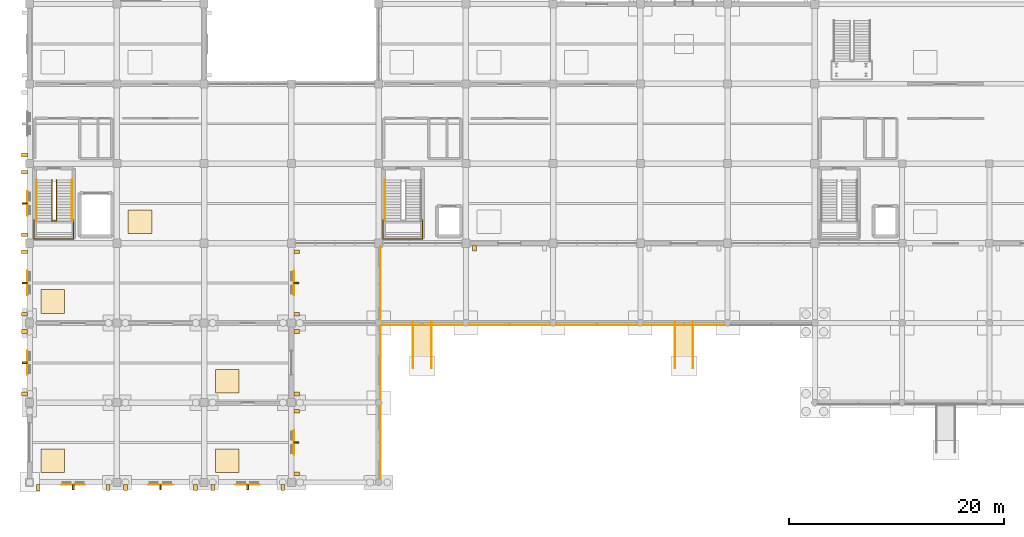
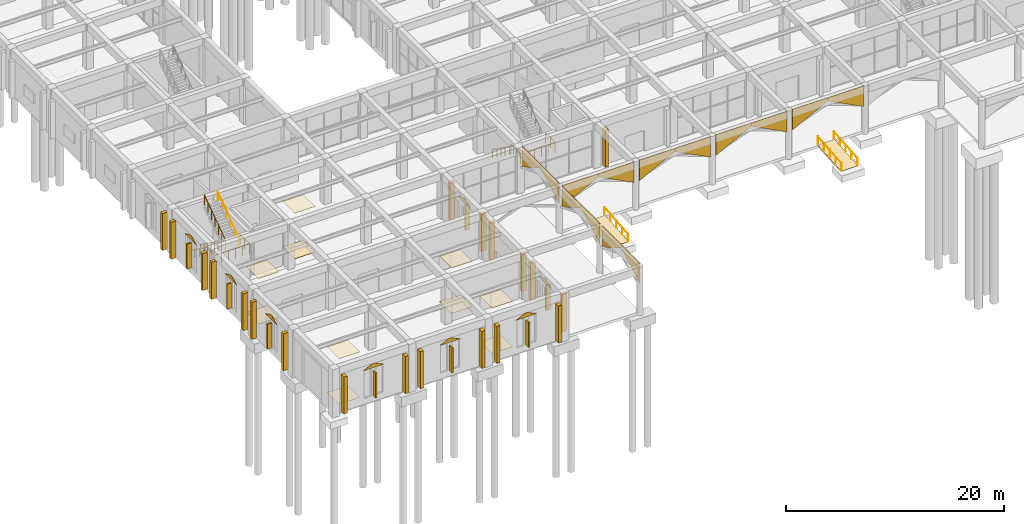
# One storey, part 133 of 140: 34 coverings, 28 shading devices, 10 railings.
"""IFC4 building model written with IfcOpenShell, lengths in metres."""

from ifc_helpers import new_model, si_unit, direction, frame, origin, origin_2d, place, context, subcontext, project, spatial, polyline, rectangle, circle, outline, extrude, material, layer, layer_set, type_object, element, save


model = new_model("IFC4")

# Units and contexts
model_context = context("Model", 3, precision=1e-05, world=origin(), true_north=direction((0.0, 1.0)))
body_context = subcontext(model_context, "Body", "Model", "MODEL_VIEW")
ifc_project = project(units=[si_unit("LENGTHUNIT", "METRE"), si_unit("AREAUNIT", "SQUARE_METRE"), si_unit("VOLUMEUNIT", "CUBIC_METRE"), si_unit("PLANEANGLEUNIT", "RADIAN"), si_unit("MASSUNIT", "GRAM", prefix="KILO")], contexts=[model_context])

# Site, building, storey
site_placement = place(None, origin())
site = spatial("IfcSite", under=ifc_project, at=site_placement, CompositionType="ELEMENT")
building_placement = place(site_placement, origin())
building = spatial("IfcBuilding", under=site, at=building_placement, Name="Cimatlan Art Gallery", CompositionType="ELEMENT")
storey_placement = place(building_placement, origin())
storey = spatial("IfcBuildingStorey", under=building, at=storey_placement, Name="L00", CompositionType="ELEMENT", Elevation=0.0)

# Coverings
ifc_material_1 = material(Name="Micro-perforated acoustic gypsum ceiling")
ifc_layer_1 = layer(ifc_material_1, 0.030029296875)
ifc_layer_set_1 = layer_set([ifc_layer_1], Name="Micro-perforated acoustic gypsum ceiling")
covering_type_1 = type_object("IfcCoveringType", Name="COV-CEIL-ACOUSTIC-30", PredefinedType="CEILING", material=ifc_layer_set_1)
for number, where, z_axis, x_axis, name in (
    (1, (4.14990234375, 3.699951171875, 5.10498046875), (0.0, 0.0, 1.0), (1.0, 0.0, 0.0), "CLG-L00-DCK-01"),
    (2, (20.35009765625, 3.699951171875, 5.10498046875), (0.0, 0.0, 1.0), (1.0, 0.0, 0.0), "CLG-L00-FCC-01"),
    (3, (4.14990234375, 18.5, 5.10498046875), (0.0, 0.0, 1.0), (1.0, 0.0, 0.0), "CLG-L00-QRN-01"),
    (4, (20.35009765625, 11.10009765625, 5.10498046875), (0.0, 0.0, 1.0), (1.0, 0.0, 0.0), "CLG-L00-CNS-SW"),
    (5, (12.25, 25.89990234375, 5.10498046875), (0.0, 0.0, 1.0), (1.0, 0.0, 0.0), "CLG-L00-LRN-01"),
):
    element("IfcCovering", number, at=place(storey_placement, frame(where, z_axis=z_axis, x_axis=x_axis)), inside=storey, type_object=covering_type_1, Name=name, PredefinedType="CEILING", context=body_context, shape_type="SweptSolid", body=[
        extrude(rectangle(XDim=2.199951171875, YDim=2.199951171875, at=origin_2d()), origin(), (0.0, 0.0, 1.0), 0.030029296875),
    ])
ifc_material_2 = material(Name="Queretaro cantera limestone ashlar hood-mould", Category="masonry")
ifc_layer_2 = layer(ifc_material_2, 0.0419921875)
ifc_layer_set_2 = layer_set([ifc_layer_2], Name="Queretaro cantera limestone ashlar hood-mould")
covering_type_2 = type_object("IfcCoveringType", Name="COV-CLAD-CANTERA-42", PredefinedType="CLADDING", material=ifc_layer_set_2)
covering_1_placement = place(storey_placement, frame((34.679931640625, 16.304931640625, 2.85009765625), z_axis=(0.0, -1.0, 0.0), x_axis=(0.890144315747, 0.0, 0.455678721408)))
element("IfcCovering", 6, at=covering_1_placement, inside=storey, type_object=covering_type_2, Name="CLD-ARC-001", PredefinedType="CLADDING", context=body_context, shape_type="SweptSolid", body=[
    extrude(outline(polyline([(0.0, 0.0), (4.235290238400666, 0.0), (4.4083947526854335, 0.338150526196759), (1.0525332966890648, 2.056068205878879), (0.0, 0.0)])), origin(), (0.0, 0.0, -1.0), 0.0419921875),
])
covering_2_placement = place(storey_placement, frame((38.449951171875, 16.304931640625, 4.780029296875), z_axis=(0.0, -1.0, 0.0), x_axis=(0.890144315747, 0.0, -0.455678721408)))
element("IfcCovering", 7, at=covering_2_placement, inside=storey, type_object=covering_type_2, Name="CLD-ARC-002", PredefinedType="CLADDING", context=body_context, shape_type="SweptSolid", body=[
    extrude(outline(polyline([(0.0, 0.0), (4.235290238400666, 0.0), (3.1827569417116015, 2.056068205878879), (-0.17310451428476745, 0.3381505261967589), (0.0, 0.0)])), origin(), (0.0, 0.0, -1.0), 0.0419921875),
])
covering_3_placement = place(storey_placement, frame((42.780029296875, 16.304931640625, 2.85009765625), z_axis=(0.0, -1.0, 0.0), x_axis=(0.890144315747, 0.0, 0.455678721408)))
element("IfcCovering", 8, at=covering_3_placement, inside=storey, type_object=covering_type_2, Name="CLD-ARC-003", PredefinedType="CLADDING", context=body_context, shape_type="SweptSolid", body=[
    extrude(outline(polyline([(0.0, 0.0), (4.235290238400666, 0.0), (4.4083947526854335, 0.338150526196759), (1.0525332966890648, 2.056068205878879), (0.0, 0.0)])), origin(), (0.0, 0.0, -1.0), 0.0419921875),
])
covering_4_placement = place(storey_placement, frame((46.550048828125, 16.304931640625, 4.780029296875), z_axis=(0.0, -1.0, 0.0), x_axis=(0.890144315747, 0.0, -0.455678721408)))
element("IfcCovering", 9, at=covering_4_placement, inside=storey, type_object=covering_type_2, Name="CLD-ARC-004", PredefinedType="CLADDING", context=body_context, shape_type="SweptSolid", body=[
    extrude(outline(polyline([(0.0, 0.0), (4.235290238400666, 0.0), (3.1827569417116015, 2.056068205878879), (-0.17310451428476745, 0.3381505261967589), (0.0, 0.0)])), origin(), (0.0, 0.0, -1.0), 0.0419921875),
])
covering_5_placement = place(storey_placement, frame((50.8798828125, 16.304931640625, 2.85009765625), z_axis=(0.0, -1.0, 0.0), x_axis=(0.890144315747, 0.0, 0.455678721408)))
element("IfcCovering", 10, at=covering_5_placement, inside=storey, type_object=covering_type_2, Name="CLD-ARC-005", PredefinedType="CLADDING", context=body_context, shape_type="SweptSolid", body=[
    extrude(outline(polyline([(0.0, 0.0), (4.235290238400666, 0.0), (4.4083947526854335, 0.338150526196759), (1.0525332966890648, 2.056068205878879), (0.0, 0.0)])), origin(), (0.0, 0.0, -1.0), 0.0419921875),
])
covering_6_placement = place(storey_placement, frame((54.64990234375, 16.304931640625, 4.780029296875), z_axis=(0.0, -1.0, 0.0), x_axis=(0.890144315747, 0.0, -0.455678721408)))
element("IfcCovering", 11, at=covering_6_placement, inside=storey, type_object=covering_type_2, Name="CLD-ARC-006", PredefinedType="CLADDING", context=body_context, shape_type="SweptSolid", body=[
    extrude(outline(polyline([(0.0, 0.0), (4.235290238400666, 0.0), (3.1827569417116015, 2.056068205878879), (-0.17310451428476745, 0.3381505261967589), (0.0, 0.0)])), origin(), (0.0, 0.0, -1.0), 0.0419921875),
])
covering_7_placement = place(storey_placement, frame((58.97998046875, 16.304931640625, 2.85009765625), z_axis=(0.0, -1.0, 0.0), x_axis=(0.890144315747, 0.0, 0.455678721408)))
element("IfcCovering", 12, at=covering_7_placement, inside=storey, type_object=covering_type_2, Name="CLD-ARC-007", PredefinedType="CLADDING", context=body_context, shape_type="SweptSolid", body=[
    extrude(outline(polyline([(0.0, 0.0), (4.235290238400666, 0.0), (4.4083947526854335, 0.338150526196759), (1.0525332966890648, 2.056068205878879), (0.0, 0.0)])), origin(), (0.0, 0.0, -1.0), 0.0419921875),
])
covering_8_placement = place(storey_placement, frame((62.75, 16.304931640625, 4.780029296875), z_axis=(0.0, -1.0, 0.0), x_axis=(0.890144315747, 0.0, -0.455678721408)))
element("IfcCovering", 13, at=covering_8_placement, inside=storey, type_object=covering_type_2, Name="CLD-ARC-008", PredefinedType="CLADDING", context=body_context, shape_type="SweptSolid", body=[
    extrude(outline(polyline([(0.0, 0.0), (4.235290238400666, 0.0), (3.1827569417116015, 2.056068205878879), (-0.17310451428476745, 0.3381505261967589), (0.0, 0.0)])), origin(), (0.0, 0.0, -1.0), 0.0419921875),
])
covering_9_placement = place(storey_placement, frame((34.594970703125, 1.97998046875, 2.85009765625), z_axis=(1.0, 0.0, 0.0), x_axis=(0.0, 0.870897276412, 0.491465089237)))
element("IfcCovering", 14, at=covering_9_placement, inside=storey, type_object=covering_type_2, Name="CLD-ARC-021", PredefinedType="CLADDING", context=body_context, shape_type="SweptSolid", body=[
    extrude(outline(polyline([(0.0, 0.0), (3.926894672459273, -2.220446049250313e-16), (4.113593812804237, 0.33083890676182826), (1.1351931663262869, 2.0116111162427104), (0.0, 0.0)])), origin(), (0.0, 0.0, -1.0), 0.0419921875),
])
covering_10_placement = place(storey_placement, frame((34.594970703125, 5.39990234375, 4.780029296875), z_axis=(1.0, 0.0, 0.0), x_axis=(0.0, 0.870912291949, -0.49143848011)))
element("IfcCovering", 15, at=covering_10_placement, inside=storey, type_object=covering_type_2, Name="CLD-ARC-022", PredefinedType="CLADDING", context=body_context, shape_type="SweptSolid", body=[
    extrude(outline(polyline([(0.0, 0.0), (3.927107295697648, 0.0), (2.7919755915186952, 2.0116457993476216), (-0.18668903199476272, 0.3308446109063417), (0.0, 0.0)])), origin(), (0.0, 0.0, -1.0), 0.0419921875),
])
covering_11_placement = place(storey_placement, frame((34.594970703125, 9.3798828125, 2.85009765625), z_axis=(1.0, 0.0, 0.0), x_axis=(0.0, 0.870912291949, 0.49143848011)))
element("IfcCovering", 16, at=covering_11_placement, inside=storey, type_object=covering_type_2, Name="CLD-ARC-023", PredefinedType="CLADDING", context=body_context, shape_type="SweptSolid", body=[
    extrude(outline(polyline([(0.0, 0.0), (3.927107295697648, 0.0), (4.113796327692411, 0.33084461090634143), (1.1351317041789526, 2.011645799347621), (0.0, 0.0)])), origin(), (0.0, 0.0, -1.0), 0.0419921875),
])
covering_12_placement = place(storey_placement, frame((34.594970703125, 12.800048828125, 4.780029296875), z_axis=(1.0, 0.0, 0.0), x_axis=(0.0, 0.870897276412, -0.491465089237)))
element("IfcCovering", 17, at=covering_12_placement, inside=storey, type_object=covering_type_2, Name="CLD-ARC-024", PredefinedType="CLADDING", context=body_context, shape_type="SweptSolid", body=[
    extrude(outline(polyline([(0.0, 0.0), (3.926894672459273, 2.220446049250313e-16), (2.7917015061329864, 2.0116111162427104), (-0.18669914034496377, 0.33083890676182826), (0.0, 0.0)])), origin(), (0.0, 0.0, -1.0), 0.0419921875),
])
covering_13_placement = place(storey_placement, frame((34.594970703125, 16.780029296875, 2.85009765625), z_axis=(1.0, 0.0, 0.0), x_axis=(0.0, 0.870897276412, 0.491465089237)))
element("IfcCovering", 18, at=covering_13_placement, inside=storey, type_object=covering_type_2, Name="CLD-ARC-025", PredefinedType="CLADDING", context=body_context, shape_type="SweptSolid", body=[
    extrude(outline(polyline([(0.0, 0.0), (3.926894672459273, -2.220446049250313e-16), (4.113593812804237, 0.33083890676182826), (1.1351931663262869, 2.0116111162427104), (0.0, 0.0)])), origin(), (0.0, 0.0, -1.0), 0.0419921875),
])
covering_14_placement = place(storey_placement, frame((34.594970703125, 20.199951171875, 4.780029296875), z_axis=(1.0, 0.0, 0.0), x_axis=(0.0, 0.870912291949, -0.49143848011)))
element("IfcCovering", 19, at=covering_14_placement, inside=storey, type_object=covering_type_2, Name="CLD-ARC-026", PredefinedType="CLADDING", context=body_context, shape_type="SweptSolid", body=[
    extrude(outline(polyline([(0.0, 0.0), (3.927107295697648, 0.0), (2.7919755915186952, 2.0116457993476216), (-0.18668903199476272, 0.3308446109063417), (0.0, 0.0)])), origin(), (0.0, 0.0, -1.0), 0.0419921875),
])
covering_15_placement = place(storey_placement, frame((7.179931640625, 1.501953125, 3.780029296875), z_axis=(0.0, 1.0, 0.0), x_axis=(-1.0, 0.0, 0.0)))
element("IfcCovering", 20, at=covering_15_placement, inside=storey, type_object=covering_type_2, Name="CLD-001", PredefinedType="CLADDING", context=body_context, shape_type="SweptSolid", body=[
    extrude(outline(polyline([(0.0, 0.0), (2.260009765625, 0.0), (1.1298828125, 0.52001953125), (0.0, 0.0)])), origin(), (0.0, 0.0, -1.0), 0.0419921875),
])
covering_16_placement = place(storey_placement, frame((1.802001953125, 11.669921875, 3.780029296875), z_axis=(1.0, 0.0, 0.0), x_axis=(0.0, 1.0, 0.0)))
element("IfcCovering", 21, at=covering_16_placement, inside=storey, type_object=covering_type_2, Name="CLD-002", PredefinedType="CLADDING", context=body_context, shape_type="SweptSolid", body=[
    extrude(outline(polyline([(0.0, 0.0), (2.260009765625, 0.0), (1.130126953125, 0.52001953125), (0.0, 0.0)])), origin(), (0.0, 0.0, -1.0), 0.0419921875),
])
covering_17_placement = place(storey_placement, frame((1.802001953125, 19.070068359375, 3.780029296875), z_axis=(1.0, 0.0, 0.0), x_axis=(0.0, 1.0, 0.0)))
element("IfcCovering", 22, at=covering_17_placement, inside=storey, type_object=covering_type_2, Name="CLD-003", PredefinedType="CLADDING", context=body_context, shape_type="SweptSolid", body=[
    extrude(outline(polyline([(0.0, 0.0), (2.260009765625, 0.0), (1.1298828125, 0.52001953125), (0.0, 0.0)])), origin(), (0.0, 0.0, -1.0), 0.0419921875),
])
for number, where, z_axis, x_axis, name in (
    (23, (1.802001953125, 26.469970703125, 3.780029296875), (1.0, 0.0, 0.0), (0.0, 1.0, 0.0), "CLD-004"),
    (24, (15.280029296875, 1.501953125, 3.780029296875), (0.0, 1.0, 0.0), (-1.0, 0.0, 0.0), "CLD-009"),
):
    element("IfcCovering", number, at=place(storey_placement, frame(where, z_axis=z_axis, x_axis=x_axis)), inside=storey, type_object=covering_type_2, Name=name, PredefinedType="CLADDING", context=body_context, shape_type="SweptSolid", body=[
        extrude(outline(polyline([(0.0, 0.0), (2.260009765625, 0.0), (1.130126953125, 0.52001953125), (0.0, 0.0)])), origin(), (0.0, 0.0, -1.0), 0.0419921875),
    ])
covering_18_placement = place(storey_placement, frame((23.3798828125, 1.501953125, 3.780029296875), z_axis=(0.0, 1.0, 0.0), x_axis=(-1.0, 0.0, 0.0)))
element("IfcCovering", 25, at=covering_18_placement, inside=storey, type_object=covering_type_2, Name="CLD-012", PredefinedType="CLADDING", context=body_context, shape_type="SweptSolid", body=[
    extrude(outline(polyline([(0.0, 0.0), (2.259765625, 0.0), (1.1298828125, 0.52001953125), (0.0, 0.0)])), origin(), (0.0, 0.0, -1.0), 0.0419921875),
])
for number, where, z_axis, x_axis, name in (
    (26, (26.498046875, 6.530029296875, 3.780029296875), (-1.0, 0.0, 0.0), (0.0, -1.0, 0.0), "CLD-013"),
    (27, (26.498046875, 21.330078125, 3.780029296875), (-1.0, 0.0, 0.0), (0.0, -1.0, 0.0), "CLD-014"),
):
    element("IfcCovering", number, at=place(storey_placement, frame(where, z_axis=z_axis, x_axis=x_axis)), inside=storey, type_object=covering_type_2, Name=name, PredefinedType="CLADDING", context=body_context, shape_type="SweptSolid", body=[
        extrude(outline(polyline([(0.0, 0.0), (2.260009765625, 0.0), (1.130126953125, 0.52001953125), (0.0, 0.0)])), origin(), (0.0, 0.0, -1.0), 0.0419921875),
    ])
covering_19_placement = place(storey_placement, frame((39.35009765625, 12.320068359375, -0.360107421875), z_axis=(0.0, -0.083073446101, 0.996543427329), x_axis=(0.0, 0.996543427329, 0.083073446101)))
element("IfcCovering", 28, at=covering_19_placement, inside=storey, type_object=covering_type_2, Name="COV-RMP-01-FL1", PredefinedType="CLADDING", context=body_context, shape_type="SweptSolid", body=[
    extrude(outline(polyline([(0.0, 0.0), (4.334807796914242, 0.0), (4.334807796914242, 1.800048828125), (0.0, 1.800048828125), (0.0, 0.0)])), origin(), (0.0, 0.0, -1.0), 0.02490234375),
])
covering_20_placement = place(storey_placement, frame((63.64990234375, 12.320068359375, -0.360107421875), z_axis=(0.0, -0.083073446101, 0.996543427329), x_axis=(0.0, 0.996543427329, 0.083073446101)))
element("IfcCovering", 29, at=covering_20_placement, inside=storey, type_object=covering_type_2, Name="COV-RMP-02-FL1", PredefinedType="CLADDING", context=body_context, shape_type="SweptSolid", body=[
    extrude(outline(polyline([(0.0, 0.0), (4.334807796914242, 0.0), (4.334807796914242, 1.7998046875), (0.0, 1.7998046875), (0.0, 0.0)])), origin(), (0.0, 0.0, -1.0), 0.02490234375),
])
ifc_material_3 = material(Name="Honed Queretaro limestone terrazzo flooring", Category="masonry")
ifc_layer_3 = layer(ifc_material_3, 0.02001953125)
ifc_layer_set_3 = layer_set([ifc_layer_3], Name="Honed Queretaro limestone terrazzo flooring")
covering_type_3 = type_object("IfcCoveringType", Name="COV-FLR-TERRAZZO-20", PredefinedType="FLOORING", material=ifc_layer_set_3)
for number, where, z_axis, x_axis, name in (
    (30, (4.14990234375, 3.699951171875, 0.0), (0.0, 0.0, 1.0), (1.0, 0.0, 0.0), "FLR-L00-DCK-01"),
    (31, (20.35009765625, 3.699951171875, 0.0), (0.0, 0.0, 1.0), (1.0, 0.0, 0.0), "FLR-L00-FCC-01"),
    (32, (4.14990234375, 18.5, 0.0), (0.0, 0.0, 1.0), (1.0, 0.0, 0.0), "FLR-L00-QRN-01"),
    (33, (20.35009765625, 11.10009765625, 0.0), (0.0, 0.0, 1.0), (1.0, 0.0, 0.0), "FLR-L00-CNS-SW"),
    (34, (12.25, 25.89990234375, 0.0), (0.0, 0.0, 1.0), (1.0, 0.0, 0.0), "FLR-L00-LRN-01"),
):
    element("IfcCovering", number, at=place(storey_placement, frame(where, z_axis=z_axis, x_axis=x_axis)), inside=storey, type_object=covering_type_3, Name=name, PredefinedType="FLOORING", context=body_context, shape_type="SweptSolid", body=[
        extrude(rectangle(XDim=2.199951171875, YDim=2.199951171875, at=origin_2d()), origin(), (0.0, 0.0, 1.0), 0.02001953125),
    ])

# Railings
ifc_material_4 = material(Name="Painted steel and bronze interior balustrade", Category="steel")
railing_type_1 = type_object("IfcRailingType", Name="RL-BAL-INT-1120", PredefinedType="BALUSTRADE", material=ifc_material_4)
railing_1_placement = place(storey_placement, frame((2.409912109375, 26.06494140625, 2.699951171875)))
element("IfcRailing", 35, at=railing_1_placement, inside=storey, type_object=railing_type_1, Name="STR-C1-L00-LGRD", PredefinedType="BALUSTRADE", context=body_context, shape_type="SweptSolid", body=[
    extrude(circle(Radius=0.02392578125, at=origin_2d()), frame((0.0, 0.0, 1.09619140625), z_axis=(0.0, -1.0, 0.0), x_axis=(1.0, 0.0, 0.0)), (0.0, 0.0, 1.0), 1.7548828125),
    extrude(circle(Radius=0.02392578125, at=origin_2d()), frame((0.0, -1.7548828125, 1.09619140625), z_axis=(1.0, 0.0, 0.0), x_axis=(0.0, 1.0, 0.0)), (0.0, 0.0, 1.0), 3.670166015625),
    extrude(circle(Radius=0.02392578125, at=origin_2d()), frame((3.670166015625, -1.7548828125, 1.09619140625), z_axis=(0.0, 1.0, 0.0), x_axis=(-1.0, 0.0, 0.0)), (0.0, 0.0, 1.0), 1.7548828125),
    extrude(circle(Radius=0.02001953125, at=origin_2d()), origin(), (0.0, 0.0, 1.0), 1.072021484375),
    extrude(circle(Radius=0.02001953125, at=origin_2d()), frame((0.0, -0.87744140625, 0.0)), (0.0, 0.0, 1.0), 1.072021484375),
    extrude(circle(Radius=0.02001953125, at=origin_2d()), frame((0.0, -1.7548828125, 0.0)), (0.0, 0.0, 1.0), 1.072021484375),
    extrude(circle(Radius=0.02001953125, at=origin_2d()), frame((0.734130859375, -1.7548828125, 0.0)), (0.0, 0.0, 1.0), 1.072021484375),
    extrude(circle(Radius=0.02001953125, at=origin_2d()), frame((1.468017578125, -1.7548828125, 0.0)), (0.0, 0.0, 1.0), 1.072021484375),
    extrude(circle(Radius=0.02001953125, at=origin_2d()), frame((2.2021484375, -1.7548828125, 0.0)), (0.0, 0.0, 1.0), 1.072021484375),
    extrude(circle(Radius=0.02001953125, at=origin_2d()), frame((2.93603515625, -1.7548828125, 0.0)), (0.0, 0.0, 1.0), 1.072021484375),
    extrude(circle(Radius=0.02001953125, at=origin_2d()), frame((3.670166015625, -1.7548828125, 0.0)), (0.0, 0.0, 1.0), 1.072021484375),
    extrude(circle(Radius=0.02001953125, at=origin_2d()), frame((3.670166015625, -0.87744140625, 0.0)), (0.0, 0.0, 1.0), 1.072021484375),
    extrude(circle(Radius=0.02001953125, at=origin_2d()), frame((3.670166015625, 0.0, 0.0)), (0.0, 0.0, 1.0), 1.072021484375),
])
railing_2_placement = place(storey_placement, frame((4.070068359375, 29.780029296875, 0.0)))
element("IfcRailing", 36, at=railing_2_placement, inside=storey, type_object=railing_type_1, Name="STR-C1-L00-GRD", PredefinedType="BALUSTRADE", context=body_context, shape_type="SweptSolid", body=[
    extrude(circle(Radius=0.02392578125, at=origin_2d()), frame((0.0, 0.0, 1.09619140625), z_axis=(0.0, -0.816969308413, 0.5766811503), x_axis=(1.0, 0.0, 0.0)), (0.0, 0.0, 1.0), 4.681884765625),
    extrude(circle(Radius=0.02392578125, at=origin_2d()), frame((0.0, -3.824951171875, 3.7958984375), z_axis=(1.0, 0.0, 0.0), x_axis=(0.0, 1.0, 0.0)), (0.0, 0.0, 1.0), 0.39990234375),
    extrude(circle(Radius=0.02392578125, at=origin_2d()), frame((0.39990234375, -3.824951171875, 3.7958984375), z_axis=(0.0, 0.816969308413, 0.5766811503), x_axis=(-1.0, 0.0, 0.0)), (0.0, 0.0, 1.0), 4.681884765625),
    extrude(circle(Radius=0.02001953125, at=origin_2d()), origin(), (0.0, 0.0, 1.0), 1.072021484375),
    extrude(circle(Radius=0.02001953125, at=origin_2d()), frame((0.0, -0.637451171875, 0.449951171875)), (0.0, 0.0, 1.0), 1.072021484375),
    extrude(circle(Radius=0.02001953125, at=origin_2d()), frame((0.0, -1.27490234375, 0.89990234375)), (0.0, 0.0, 1.0), 1.072021484375),
    extrude(circle(Radius=0.02001953125, at=origin_2d()), frame((0.0, -1.91259765625, 1.35009765625)), (0.0, 0.0, 1.0), 1.072021484375),
    extrude(circle(Radius=0.02001953125, at=origin_2d()), frame((0.0, -2.550048828125, 1.800048828125)), (0.0, 0.0, 1.0), 1.072021484375),
    extrude(circle(Radius=0.02001953125, at=origin_2d()), frame((0.0, -3.1875, 2.25)), (0.0, 0.0, 1.0), 1.072021484375),
    extrude(circle(Radius=0.02001953125, at=origin_2d()), frame((0.0, -3.824951171875, 2.699951171875)), (0.0, 0.0, 1.0), 1.072021484375),
    extrude(circle(Radius=0.02001953125, at=origin_2d()), frame((0.39990234375, -3.824951171875, 2.699951171875)), (0.0, 0.0, 1.0), 1.072021484375),
    extrude(circle(Radius=0.02001953125, at=origin_2d()), frame((0.39990234375, -3.1875, 3.14990234375)), (0.0, 0.0, 1.0), 1.072021484375),
    extrude(circle(Radius=0.02001953125, at=origin_2d()), frame((0.39990234375, -2.550048828125, 3.599853515625)), (0.0, 0.0, 1.0), 1.072021484375),
    extrude(circle(Radius=0.02001953125, at=origin_2d()), frame((0.39990234375, -1.91259765625, 4.0498046875)), (0.0, 0.0, 1.0), 1.072021484375),
    extrude(circle(Radius=0.02001953125, at=origin_2d()), frame((0.39990234375, -1.27490234375, 4.5)), (0.0, 0.0, 1.0), 1.072021484375),
    extrude(circle(Radius=0.02001953125, at=origin_2d()), frame((0.39990234375, -0.637451171875, 4.949951171875)), (0.0, 0.0, 1.0), 1.072021484375),
    extrude(circle(Radius=0.02001953125, at=origin_2d()), frame((0.39990234375, 0.0, 5.39990234375)), (0.0, 0.0, 1.0), 1.072021484375),
])
railing_3_placement = place(storey_placement, frame((34.81005859375, 26.06494140625, 2.699951171875)))
element("IfcRailing", 37, at=railing_3_placement, inside=storey, type_object=railing_type_1, Name="STR-C2-L00-LGRD", PredefinedType="BALUSTRADE", context=body_context, shape_type="SweptSolid", body=[
    extrude(circle(Radius=0.02392578125, at=origin_2d()), frame((0.0, 0.0, 1.09619140625), z_axis=(0.0, -1.0, 0.0), x_axis=(1.0, 0.0, 0.0)), (0.0, 0.0, 1.0), 1.7548828125),
    extrude(circle(Radius=0.02392578125, at=origin_2d()), frame((0.0, -1.7548828125, 1.09619140625), z_axis=(1.0, 0.0, 0.0), x_axis=(0.0, 1.0, 0.0)), (0.0, 0.0, 1.0), 3.669921875),
    extrude(circle(Radius=0.02392578125, at=origin_2d()), frame((3.669921875, -1.7548828125, 1.09619140625), z_axis=(0.0, 1.0, 0.0), x_axis=(-1.0, 0.0, 0.0)), (0.0, 0.0, 1.0), 1.7548828125),
    extrude(circle(Radius=0.02001953125, at=origin_2d()), origin(), (0.0, 0.0, 1.0), 1.072021484375),
    extrude(circle(Radius=0.02001953125, at=origin_2d()), frame((0.0, -0.87744140625, 0.0)), (0.0, 0.0, 1.0), 1.072021484375),
    extrude(circle(Radius=0.02001953125, at=origin_2d()), frame((0.0, -1.7548828125, 0.0)), (0.0, 0.0, 1.0), 1.072021484375),
    extrude(circle(Radius=0.02001953125, at=origin_2d()), frame((0.73388671875, -1.7548828125, 0.0)), (0.0, 0.0, 1.0), 1.072021484375),
    extrude(circle(Radius=0.02001953125, at=origin_2d()), frame((1.468017578125, -1.7548828125, 0.0)), (0.0, 0.0, 1.0), 1.072021484375),
    extrude(circle(Radius=0.02001953125, at=origin_2d()), frame((2.201904296875, -1.7548828125, 0.0)), (0.0, 0.0, 1.0), 1.072021484375),
    extrude(circle(Radius=0.02001953125, at=origin_2d()), frame((2.93603515625, -1.7548828125, 0.0)), (0.0, 0.0, 1.0), 1.072021484375),
    extrude(circle(Radius=0.02001953125, at=origin_2d()), frame((3.669921875, -1.7548828125, 0.0)), (0.0, 0.0, 1.0), 1.072021484375),
    extrude(circle(Radius=0.02001953125, at=origin_2d()), frame((3.669921875, -0.87744140625, 0.0)), (0.0, 0.0, 1.0), 1.072021484375),
    extrude(circle(Radius=0.02001953125, at=origin_2d()), frame((3.669921875, 0.0, 0.0)), (0.0, 0.0, 1.0), 1.072021484375),
])
ifc_material_5 = material(Name="Brushed bronze handrail")
railing_type_2 = type_object("IfcRailingType", Name="RL-HND-EXT-920", PredefinedType="HANDRAIL", material=ifc_material_5)
for number, where, name in (
    (38, (39.2900390625, 12.320068359375, -0.360107421875), "RMP-01-HR-L"),
    (39, (37.610107421875, 12.320068359375, -0.360107421875), "RMP-01-HR-R"),
    (40, (63.590087890625, 12.320068359375, -0.360107421875), "RMP-02-HR-L"),
    (41, (61.909912109375, 12.320068359375, -0.360107421875), "RMP-02-HR-R"),
):
    element("IfcRailing", number, at=place(storey_placement, frame(where)), inside=storey, type_object=railing_type_2, Name=name, PredefinedType="HANDRAIL", context=body_context, shape_type="SweptSolid", body=[
        extrude(circle(Radius=0.02197265625, at=origin_2d()), frame((0.0, 0.0, 0.89794921875), z_axis=(0.0, 0.996543427329, 0.083073446101), x_axis=(-1.0, 0.0, 0.0)), (0.0, 0.0, 1.0), 4.334716796875),
        extrude(circle(Radius=0.01904296875, at=origin_2d()), origin(), (0.0, 0.0, 1.0), 0.8759765625),
        extrude(circle(Radius=0.01904296875, at=origin_2d()), frame((0.0, 1.080078125, 0.090087890625)), (0.0, 0.0, 1.0), 0.8759765625),
        extrude(circle(Radius=0.01904296875, at=origin_2d()), frame((0.0, 2.159912109375, 0.18017578125)), (0.0, 0.0, 1.0), 0.8759765625),
        extrude(circle(Radius=0.01904296875, at=origin_2d()), frame((0.0, 3.23974609375, 0.27001953125)), (0.0, 0.0, 1.0), 0.8759765625),
        extrude(circle(Radius=0.01904296875, at=origin_2d()), frame((0.0, 4.31982421875, 0.360107421875)), (0.0, 0.0, 1.0), 0.8759765625),
    ])
ifc_material_6 = material(Name="Brushed bronze stair handrail")
railing_type_3 = type_object("IfcRailingType", Name="RL-HND-INT-920", PredefinedType="HANDRAIL", material=ifc_material_6)
railing_4_placement = place(storey_placement, frame((2.610107421875, 29.780029296875, 0.0)))
element("IfcRailing", 42, at=railing_4_placement, inside=storey, type_object=railing_type_3, Name="STR-C1-L00-HR1", PredefinedType="HANDRAIL", context=body_context, shape_type="SweptSolid", body=[
    extrude(circle(Radius=0.02197265625, at=origin_2d()), frame((0.0, 0.0, 0.89794921875), z_axis=(0.0, -0.816969308413, 0.5766811503), x_axis=(1.0, 0.0, 0.0)), (0.0, 0.0, 1.0), 4.681884765625),
    extrude(circle(Radius=0.01904296875, at=origin_2d()), origin(), (0.0, 0.0, 1.0), 0.8759765625),
    extrude(circle(Radius=0.01904296875, at=origin_2d()), frame((0.0, -0.764892578125, 0.5400390625)), (0.0, 0.0, 1.0), 0.8759765625),
    extrude(circle(Radius=0.01904296875, at=origin_2d()), frame((0.0, -1.530029296875, 1.080078125)), (0.0, 0.0, 1.0), 0.8759765625),
    extrude(circle(Radius=0.01904296875, at=origin_2d()), frame((0.0, -2.294921875, 1.619873046875)), (0.0, 0.0, 1.0), 0.8759765625),
    extrude(circle(Radius=0.01904296875, at=origin_2d()), frame((0.0, -3.06005859375, 2.159912109375)), (0.0, 0.0, 1.0), 0.8759765625),
    extrude(circle(Radius=0.01904296875, at=origin_2d()), frame((0.0, -3.824951171875, 2.699951171875)), (0.0, 0.0, 1.0), 0.8759765625),
])
railing_5_placement = place(storey_placement, frame((5.929931640625, 25.955078125, 2.699951171875)))
element("IfcRailing", 43, at=railing_5_placement, inside=storey, type_object=railing_type_3, Name="STR-C1-L00-HR2", PredefinedType="HANDRAIL", context=body_context, shape_type="SweptSolid", body=[
    extrude(circle(Radius=0.02197265625, at=origin_2d()), frame((0.0, 0.0, 0.89794921875), z_axis=(0.0, 0.816969308413, 0.5766811503), x_axis=(-1.0, 0.0, 0.0)), (0.0, 0.0, 1.0), 4.681884765625),
    extrude(circle(Radius=0.01904296875, at=origin_2d()), origin(), (0.0, 0.0, 1.0), 0.8759765625),
    extrude(circle(Radius=0.01904296875, at=origin_2d()), frame((0.0, 0.764892578125, 0.5400390625)), (0.0, 0.0, 1.0), 0.8759765625),
    extrude(circle(Radius=0.01904296875, at=origin_2d()), frame((0.0, 1.530029296875, 1.080078125)), (0.0, 0.0, 1.0), 0.8759765625),
    extrude(circle(Radius=0.01904296875, at=origin_2d()), frame((0.0, 2.294921875, 1.619873046875)), (0.0, 0.0, 1.0), 0.8759765625),
    extrude(circle(Radius=0.01904296875, at=origin_2d()), frame((0.0, 3.06005859375, 2.159912109375)), (0.0, 0.0, 1.0), 0.8759765625),
    extrude(circle(Radius=0.01904296875, at=origin_2d()), frame((0.0, 3.824951171875, 2.699951171875)), (0.0, 0.0, 1.0), 0.8759765625),
])
railing_6_placement = place(storey_placement, frame((35.010009765625, 29.780029296875, 0.0)))
element("IfcRailing", 44, at=railing_6_placement, inside=storey, type_object=railing_type_3, Name="STR-C2-L00-HR1", PredefinedType="HANDRAIL", context=body_context, shape_type="SweptSolid", body=[
    extrude(circle(Radius=0.02197265625, at=origin_2d()), frame((0.0, 0.0, 0.89794921875), z_axis=(0.0, -0.816969308413, 0.5766811503), x_axis=(1.0, 0.0, 0.0)), (0.0, 0.0, 1.0), 4.681884765625),
    extrude(circle(Radius=0.01904296875, at=origin_2d()), origin(), (0.0, 0.0, 1.0), 0.8759765625),
    extrude(circle(Radius=0.01904296875, at=origin_2d()), frame((0.0, -0.764892578125, 0.5400390625)), (0.0, 0.0, 1.0), 0.8759765625),
    extrude(circle(Radius=0.01904296875, at=origin_2d()), frame((0.0, -1.530029296875, 1.080078125)), (0.0, 0.0, 1.0), 0.8759765625),
    extrude(circle(Radius=0.01904296875, at=origin_2d()), frame((0.0, -2.294921875, 1.619873046875)), (0.0, 0.0, 1.0), 0.8759765625),
    extrude(circle(Radius=0.01904296875, at=origin_2d()), frame((0.0, -3.06005859375, 2.159912109375)), (0.0, 0.0, 1.0), 0.8759765625),
    extrude(circle(Radius=0.01904296875, at=origin_2d()), frame((0.0, -3.824951171875, 2.699951171875)), (0.0, 0.0, 1.0), 0.8759765625),
])

# Shading devices
ifc_material_7 = material(Name="Queretaro cantera limestone buttress pilaster", Category="masonry")
shading_device_type_1 = type_object("IfcShadingDeviceType", Name="SHD-BUT-520", PredefinedType="USERDEFINED", material=ifc_material_7)
for number, where, z_axis, x_axis, name in (
    (45, (9.301025390625, 1.221923828125, 0.06005859375), (0.0, 0.0, 1.0), (-1.0, 0.0, 0.0), "BUT-0001"),
    (46, (2.799072265625, 1.221923828125, 0.06005859375), (0.0, 0.0, 1.0), (-1.0, 0.0, 0.0), "BUT-0002"),
    (47, (1.52197265625, 9.89892578125, 0.06005859375), (0.0, 0.0, 1.0), (0.0, 1.0, 0.0), "BUT-0003"),
    (48, (1.52197265625, 15.700927734375, 0.06005859375), (0.0, 0.0, 1.0), (0.0, 1.0, 0.0), "BUT-0004"),
    (49, (1.52197265625, 17.299072265625, 0.06005859375), (0.0, 0.0, 1.0), (0.0, 1.0, 0.0), "BUT-0005"),
    (50, (1.52197265625, 23.10107421875, 0.06005859375), (0.0, 0.0, 1.0), (0.0, 1.0, 0.0), "BUT-0006"),
    (51, (1.52197265625, 24.698974609375, 0.06005859375), (0.0, 0.0, 1.0), (0.0, 1.0, 0.0), "BUT-0007"),
    (52, (1.52197265625, 30.5009765625, 0.06005859375), (0.0, 0.0, 1.0), (0.0, 1.0, 0.0), "BUT-0008"),
    (53, (1.52197265625, 32.09912109375, 0.06005859375), (0.0, 0.0, 1.0), (0.0, 1.0, 0.0), "BUT-0009"),
    (54, (17.40087890625, 1.221923828125, 0.06005859375), (0.0, 0.0, 1.0), (-1.0, 0.0, 0.0), "BUT-0025"),
    (55, (10.89892578125, 1.221923828125, 0.06005859375), (0.0, 0.0, 1.0), (-1.0, 0.0, 0.0), "BUT-0026"),
    (56, (25.5009765625, 1.221923828125, 0.06005859375), (0.0, 0.0, 1.0), (-1.0, 0.0, 0.0), "BUT-0037"),
    (57, (18.9990234375, 1.221923828125, 0.06005859375), (0.0, 0.0, 1.0), (-1.0, 0.0, 0.0), "BUT-0038"),
    (58, (26.778076171875, 8.301025390625, 0.06005859375), (0.0, 0.0, 1.0), (0.0, -1.0, 0.0), "BUT-0039"),
    (59, (26.778076171875, 2.4990234375, 0.06005859375), (0.0, 0.0, 1.0), (0.0, -1.0, 0.0), "BUT-0040"),
    (60, (26.778076171875, 15.700927734375, 0.06005859375), (0.0, 0.0, 1.0), (0.0, -1.0, 0.0), "BUT-0041"),
    (61, (26.778076171875, 9.89892578125, 0.06005859375), (0.0, 0.0, 1.0), (0.0, -1.0, 0.0), "BUT-0042"),
    (62, (26.778076171875, 23.10107421875, 0.06005859375), (0.0, 0.0, 1.0), (0.0, -1.0, 0.0), "BUT-0043"),
    (63, (26.778076171875, 17.299072265625, 0.06005859375), (0.0, 0.0, 1.0), (0.0, -1.0, 0.0), "BUT-0044"),
    (64, (43.299072265625, 23.422119140625, 0.06005859375), (0.0, 0.0, 1.0), (-1.0, 0.0, 0.0), "BUT-0054"),
):
    element("IfcShadingDevice", number, at=place(storey_placement, frame(where, z_axis=z_axis, x_axis=x_axis)), inside=storey, type_object=shading_device_type_1, Name=name, ObjectType="FIN", PredefinedType="USERDEFINED", context=body_context, shape_type="SweptSolid", body=[
        extrude(rectangle(XDim=0.340087890625, YDim=0.52001953125, at=origin_2d()), origin(), (0.0, 0.0, 1.0), 4.14990234375),
    ])
ifc_material_8 = material(Name="Queretaro cantera limestone lancet mullion fin", Category="masonry")
shading_device_type_2 = type_object("IfcShadingDeviceType", Name="SHD-FIN-480", PredefinedType="USERDEFINED", material=ifc_material_8)
for number, where, z_axis, x_axis, name in (
    (65, (6.050048828125, 1.241943359375, 0.64990234375), (0.0, 0.0, 1.0), (-1.0, 0.0, 0.0), "FIN-001"),
    (66, (1.5419921875, 12.800048828125, 0.64990234375), (0.0, 0.0, 1.0), (0.0, 1.0, 0.0), "FIN-002"),
    (67, (1.5419921875, 20.199951171875, 0.64990234375), (0.0, 0.0, 1.0), (0.0, 1.0, 0.0), "FIN-003"),
    (68, (1.5419921875, 27.60009765625, 0.64990234375), (0.0, 0.0, 1.0), (0.0, 1.0, 0.0), "FIN-004"),
    (69, (14.14990234375, 1.241943359375, 0.64990234375), (0.0, 0.0, 1.0), (-1.0, 0.0, 0.0), "FIN-009"),
    (70, (22.25, 1.241943359375, 0.64990234375), (0.0, 0.0, 1.0), (-1.0, 0.0, 0.0), "FIN-012"),
    (71, (26.758056640625, 5.39990234375, 0.64990234375), (0.0, 0.0, 1.0), (0.0, -1.0, 0.0), "FIN-013"),
    (72, (26.758056640625, 20.199951171875, 0.64990234375), (0.0, 0.0, 1.0), (0.0, -1.0, 0.0), "FIN-014"),
):
    element("IfcShadingDevice", number, at=place(storey_placement, frame(where, z_axis=z_axis, x_axis=x_axis)), inside=storey, type_object=shading_device_type_2, Name=name, ObjectType="FIN", PredefinedType="USERDEFINED", context=body_context, shape_type="SweptSolid", body=[
        extrude(rectangle(XDim=0.159912109375, YDim=0.47998046875, at=origin_2d()), origin(), (0.0, 0.0, 1.0), 2.800048828125),
    ])

save(model, "model.ifc")
